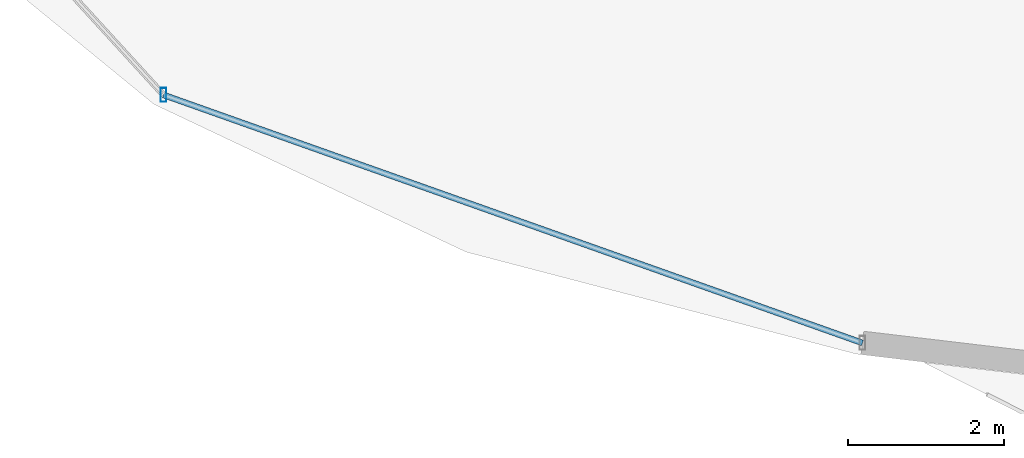
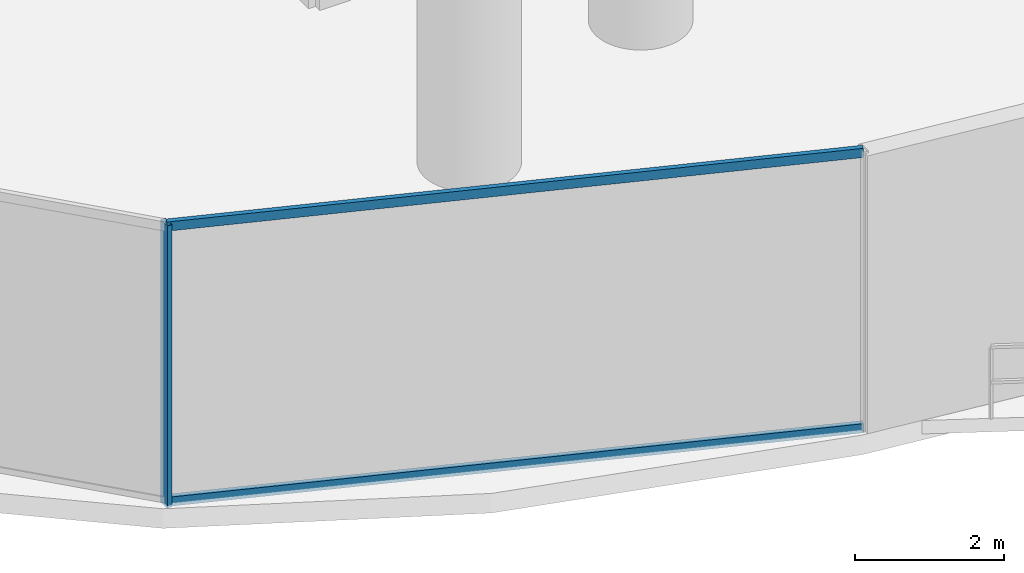
# One storey, part 2 of 32: 3 members, 1 element without a shape of its own.
"""IFC4 building model written with IfcOpenShell, lengths in metres."""

from ifc_helpers import new_model, si_unit, direction, frame, origin, origin_2d, place, context, subcontext, project, spatial, hollow_rectangle, extrude, material, material_profile, profile_set, type_object, element, aggregate, save


model = new_model("IFC4")

# Units and contexts
model_context = context("Model", 3, precision=1e-05, world=origin(), true_north=direction((0.0, 1.0)))
body_context = subcontext(model_context, "Body", "Model", "MODEL_VIEW")
ifc_project = project(units=[si_unit("LENGTHUNIT", "METRE"), si_unit("AREAUNIT", "SQUARE_METRE"), si_unit("VOLUMEUNIT", "CUBIC_METRE"), si_unit("PLANEANGLEUNIT", "RADIAN"), si_unit("MASSUNIT", "GRAM", prefix="KILO")], contexts=[model_context])

# Site, building, storey
site_placement = place(None, origin())
site = spatial("IfcSite", under=ifc_project, at=site_placement, CompositionType="ELEMENT")
building_placement = place(site_placement, origin())
building = spatial("IfcBuilding", under=site, at=building_placement, Name="Vorneva Point Tower", CompositionType="ELEMENT")
storey_placement = place(building_placement, frame((0.0, 0.0, 19.199951171875)))
storey = spatial("IfcBuildingStorey", under=building, at=storey_placement, Name="L04", CompositionType="ELEMENT", Elevation=19.199951171875)

# Curtain wall, members
ifc_material = material(Name="Pale anodised aluminium", Category="aluminium")
curtain_wall_type = type_object("IfcCurtainWallType", Name="CW-POD-SYS", PredefinedType="NOTDEFINED", material=ifc_material)
curtain_wall_placement = place(storey_placement, origin())
curtain_wall = element("IfcCurtainWall", 1, at=curtain_wall_placement, inside=storey, type_object=curtain_wall_type, Name="L04 Unitised Curtain Wall CW-L04-R03", PredefinedType="NOTDEFINED")
ifc_material_profile_1 = material_profile(ifc_material, hollow_rectangle(XDim=0.074951171875, YDim=0.179931640625, WallThickness=0.00390625, at=origin_2d()), Name="AL-MUL 180x75x4")
ifc_profile_set_1 = profile_set([ifc_material_profile_1], Name="Pale anodised aluminium")
member_type_1 = type_object("IfcMemberType", Name="CW-MUL-180", PredefinedType="MULLION", material=ifc_profile_set_1)
member_1_placement = place(storey_placement, frame((10.581298828125, 7.278076171875, -0.0400390625), z_axis=(0.0, 0.0, 1.0), x_axis=(1.0, 0.0, 0.0)))
member_1 = element("IfcMember", 2, at=member_1_placement, type_object=member_type_1, Name="CW-L04-R03 Mullion 05", PredefinedType="MULLION", context=body_context, shape_type="SweptSolid", body=[
    extrude(hollow_rectangle(XDim=0.074951171875, YDim=0.179931640625, WallThickness=0.00390625, at=origin_2d()), origin(), (0.0, 0.0, 1.0), 4.610107421875),
])
ifc_material_profile_2 = material_profile(ifc_material, hollow_rectangle(XDim=0.074951171875, YDim=0.14990234375, WallThickness=0.00390625, at=origin_2d()), Name="AL-TRN 150x75x4")
ifc_profile_set_2 = profile_set([ifc_material_profile_2], Name="Pale anodised aluminium")
member_type_2 = type_object("IfcMemberType", Name="CW-TRN-150", PredefinedType="USERDEFINED", material=ifc_profile_set_2)
member_2_placement = place(storey_placement, frame((10.581298828125, 7.278076171875, 0.02001953125), z_axis=(0.942429054256, -0.334406156782, 0.0), x_axis=(0.334406156782, 0.942429054256, 0.0)))
member_2 = element("IfcMember", 3, at=member_2_placement, type_object=member_type_2, Name="CW-L04-R03 Transom 05.1", ObjectType="TRANSOM", PredefinedType="USERDEFINED", context=body_context, shape_type="SweptSolid", body=[
    extrude(hollow_rectangle(XDim=0.074951171875, YDim=0.14990234375, WallThickness=0.00390625, at=origin_2d()), origin(), (0.0, 0.0, 1.0), 9.482177734375),
])
member_3_placement = place(storey_placement, frame((10.581298828125, 7.278076171875, 4.52001953125), z_axis=(0.942429054256, -0.334406156782, 0.0), x_axis=(0.334406156782, 0.942429054256, 0.0)))
member_3 = element("IfcMember", 4, at=member_3_placement, type_object=member_type_2, Name="CW-L04-R03 Transom 05.2", ObjectType="TRANSOM", PredefinedType="USERDEFINED", context=body_context, shape_type="SweptSolid", body=[
    extrude(hollow_rectangle(XDim=0.074951171875, YDim=0.14990234375, WallThickness=0.00390625, at=origin_2d()), origin(), (0.0, 0.0, 1.0), 9.482177734375),
])
aggregate(curtain_wall, [member_1, member_2, member_3])

save(model, "model.ifc")
